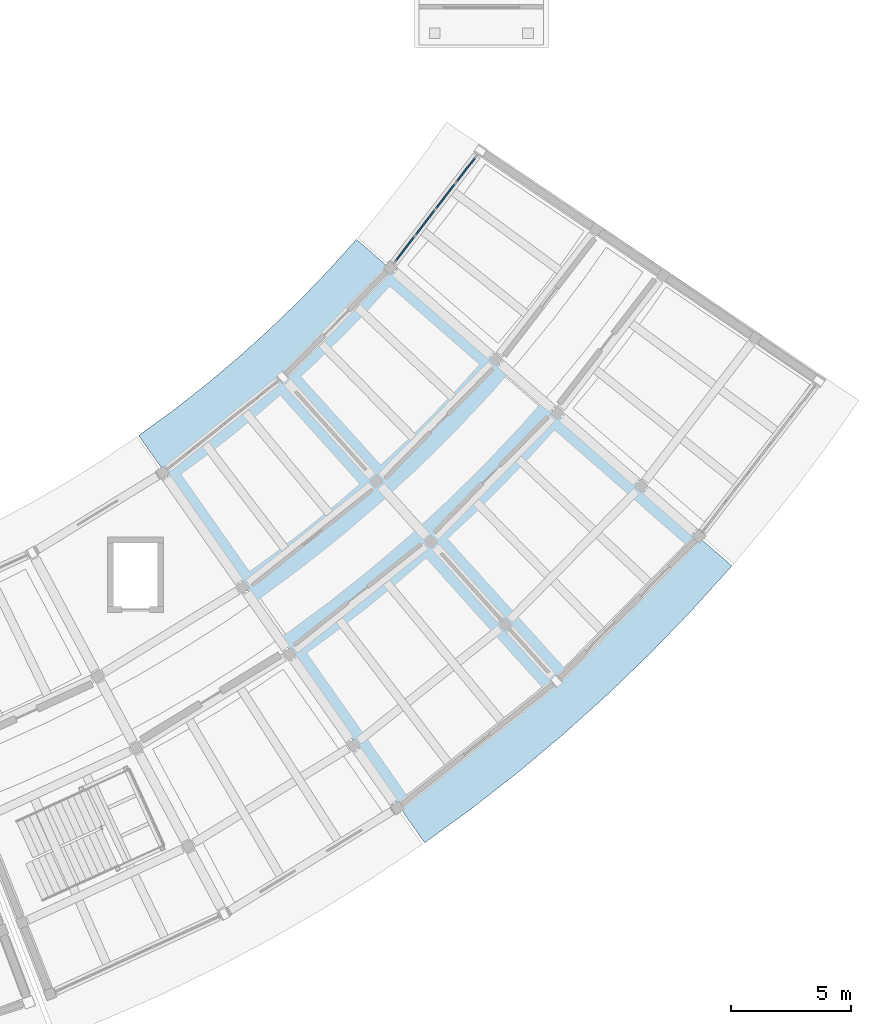
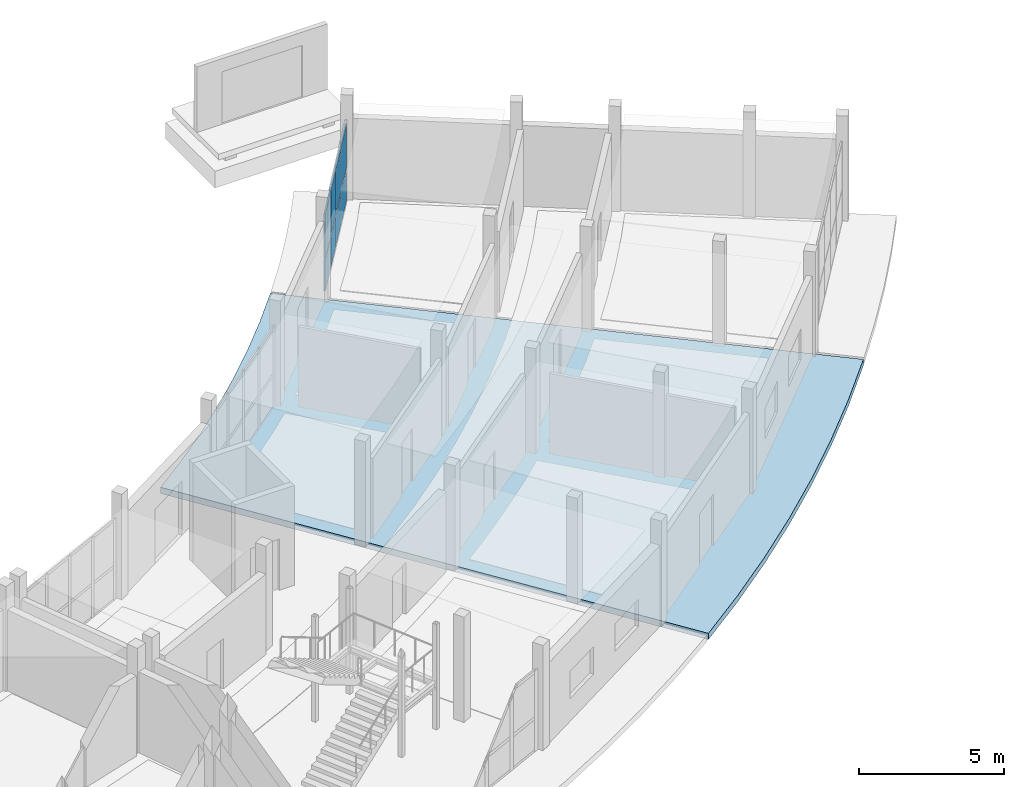
# One storey, part 53 of 92: 8 plates, 1 slab, 1 element without a shape of its own.
"""IFC4 building model written with IfcOpenShell, lengths in metres."""

from ifc_helpers import new_model, si_unit, direction, frame, origin, origin_2d, place, context, subcontext, project, spatial, polyline, rectangle, outline, extrude, material, layer, layer_set, type_object, element, aggregate, save


model = new_model("IFC4")

# Units and contexts
model_context = context("Model", 3, precision=1e-05, world=origin(), true_north=direction((0.0, 1.0)))
body_context = subcontext(model_context, "Body", "Model", "MODEL_VIEW")
ifc_project = project(units=[si_unit("LENGTHUNIT", "METRE"), si_unit("AREAUNIT", "SQUARE_METRE"), si_unit("VOLUMEUNIT", "CUBIC_METRE"), si_unit("PLANEANGLEUNIT", "RADIAN"), si_unit("MASSUNIT", "GRAM", prefix="KILO")], contexts=[model_context])

# Site, building, storey
site_placement = place(None, origin())
site = spatial("IfcSite", under=ifc_project, at=site_placement, CompositionType="ELEMENT")
building_placement = place(site_placement, origin())
building = spatial("IfcBuilding", under=site, at=building_placement, Name="Caldaven Crescent School", CompositionType="ELEMENT")
storey_placement = place(building_placement, origin())
storey = spatial("IfcBuildingStorey", under=building, at=storey_placement, Name="L00", CompositionType="ELEMENT", Elevation=0.0)

# Curtain wall, plates
ifc_material_1 = material(Name="Anodised aluminium AA 6063-T6 and low-E double glazing", Category="aluminium")
ifc_layer_1 = layer(ifc_material_1, 0.169921875)
ifc_layer_set_1 = layer_set([ifc_layer_1], Name="Anodised aluminium AA 6063-T6 and low-E double glazing")
curtain_wall_type = type_object("IfcCurtainWallType", Name="CW-SYS1", PredefinedType="NOTDEFINED", material=ifc_layer_set_1)
curtain_wall_placement = place(storey_placement, origin())
curtain_wall = element("IfcCurtainWall", 1, at=curtain_wall_placement, inside=storey, type_object=curtain_wall_type, Name="CW-L00-115", PredefinedType="NOTDEFINED")
ifc_material_2 = material(Name="Insulated bronze aluminium spandrel panel", Category="aluminium")
ifc_layer_2 = layer(ifc_material_2, 0.06396484375)
ifc_layer_set_2 = layer_set([ifc_layer_2], Name="Insulated bronze aluminium spandrel panel")
plate_type = type_object("IfcPlateType", Name="PLT-CWP20", PredefinedType="CURTAIN_PANEL", material=ifc_layer_set_2)
plate_1_placement = place(storey_placement, frame((128.2041015625, 62.3935546875, 0.06982421875), z_axis=(0.0, 0.0, 1.0), x_axis=(0.610386929383, 0.792103400093, 0.0)))
plate_1 = element("IfcPlate", 2, at=plate_1_placement, type_object=plate_type, Name="CW1 panel 1.1", PredefinedType="CURTAIN_PANEL", context=body_context, shape_type="SweptSolid", body=[
    extrude(rectangle(XDim=1.2998046875, YDim=0.06396484375, at=origin_2d()), origin(), (0.0, 0.0, 1.0), 1.322998046875),
])
plate_2_placement = place(storey_placement, frame((128.2041015625, 62.3935546875, 1.462890625), z_axis=(0.0, 0.0, 1.0), x_axis=(0.610386929383, 0.792103400093, 0.0)))
plate_2 = element("IfcPlate", 3, at=plate_2_placement, type_object=plate_type, Name="CW1 panel 1.2", PredefinedType="CURTAIN_PANEL", context=body_context, shape_type="SweptSolid", body=[
    extrude(rectangle(XDim=1.2998046875, YDim=0.06396484375, at=origin_2d()), origin(), (0.0, 0.0, 1.0), 1.866943359375),
])
plate_3_placement = place(storey_placement, frame((129.047119140625, 63.487548828125, 0.06982421875), z_axis=(0.0, 0.0, 1.0), x_axis=(0.610386929383, 0.792103400093, 0.0)))
plate_3 = element("IfcPlate", 4, at=plate_3_placement, type_object=plate_type, Name="CW1 panel 2.1", PredefinedType="CURTAIN_PANEL", context=body_context, shape_type="SweptSolid", body=[
    extrude(rectangle(XDim=1.332275390625, YDim=0.06396484375, at=origin_2d()), origin(), (0.0, 0.0, 1.0), 1.322998046875),
])
plate_4_placement = place(storey_placement, frame((129.047119140625, 63.487548828125, 1.462890625), z_axis=(0.0, 0.0, 1.0), x_axis=(0.610386929383, 0.792103400093, 0.0)))
plate_4 = element("IfcPlate", 5, at=plate_4_placement, type_object=plate_type, Name="CW1 panel 2.2", PredefinedType="CURTAIN_PANEL", context=body_context, shape_type="SweptSolid", body=[
    extrude(rectangle(XDim=1.332275390625, YDim=0.06396484375, at=origin_2d()), origin(), (0.0, 0.0, 1.0), 1.866943359375),
])
plate_5_placement = place(storey_placement, frame((129.89990234375, 64.594482421875, 0.06982421875), z_axis=(0.0, 0.0, 1.0), x_axis=(0.610386929383, 0.792103400093, 0.0)))
plate_5 = element("IfcPlate", 6, at=plate_5_placement, type_object=plate_type, Name="CW1 panel 3.1", PredefinedType="CURTAIN_PANEL", context=body_context, shape_type="SweptSolid", body=[
    extrude(rectangle(XDim=1.332275390625, YDim=0.06396484375, at=origin_2d()), origin(), (0.0, 0.0, 1.0), 1.322998046875),
])
plate_6_placement = place(storey_placement, frame((129.89990234375, 64.594482421875, 1.462890625), z_axis=(0.0, 0.0, 1.0), x_axis=(0.610386929383, 0.792103400093, 0.0)))
plate_6 = element("IfcPlate", 7, at=plate_6_placement, type_object=plate_type, Name="CW1 panel 3.2", PredefinedType="CURTAIN_PANEL", context=body_context, shape_type="SweptSolid", body=[
    extrude(rectangle(XDim=1.332275390625, YDim=0.06396484375, at=origin_2d()), origin(), (0.0, 0.0, 1.0), 1.866943359375),
])
plate_7_placement = place(storey_placement, frame((130.742919921875, 65.6884765625, 0.06982421875), z_axis=(0.0, 0.0, 1.0), x_axis=(0.610386929383, 0.792103400093, 0.0)))
plate_7 = element("IfcPlate", 8, at=plate_7_placement, type_object=plate_type, Name="CW1 panel 4.1", PredefinedType="CURTAIN_PANEL", context=body_context, shape_type="SweptSolid", body=[
    extrude(rectangle(XDim=1.2998046875, YDim=0.06396484375, at=origin_2d()), origin(), (0.0, 0.0, 1.0), 1.322998046875),
])
plate_8_placement = place(storey_placement, frame((130.742919921875, 65.6884765625, 1.462890625), z_axis=(0.0, 0.0, 1.0), x_axis=(0.610386929383, 0.792103400093, 0.0)))
plate_8 = element("IfcPlate", 9, at=plate_8_placement, type_object=plate_type, Name="CW1 panel 4.2", PredefinedType="CURTAIN_PANEL", context=body_context, shape_type="SweptSolid", body=[
    extrude(rectangle(XDim=1.2998046875, YDim=0.06396484375, at=origin_2d()), origin(), (0.0, 0.0, 1.0), 1.866943359375),
])
aggregate(curtain_wall, [plate_1, plate_2, plate_3, plate_4, plate_5, plate_6, plate_7, plate_8])

# Slab
ifc_material_3 = material(Name="Concrete C35/45", Category="concrete")
ifc_layer_3 = layer(ifc_material_3, 0.260009765625)
ifc_layer_set_3 = layer_set([ifc_layer_3], Name="Concrete C35/45")
slab_type = type_object("IfcSlabType", Name="SLB-FS1", PredefinedType="FLOOR", material=ifc_layer_set_3)
slab_placement = place(storey_placement, frame((0.0, 0.0, -0.260009765625)))
element("IfcSlab", 10, at=slab_placement, inside=storey, type_object=slab_type, Name="SLB-V4E-L00-B13", PredefinedType="FLOOR", context=body_context, shape_type="SweptSolid", body=[
    extrude(outline(polyline([(129.025146484375, 37.56298828125), (131.027099609375, 39.020751953125), (132.97705078125, 40.547119140625), (134.872802734375, 42.14013671875), (136.71240234375, 43.7978515625), (138.493408203125, 45.5185546875), (140.213623046875, 47.2998046875), (141.870849609375, 49.1396484375), (126.177490234375, 62.791015625), (125.0029296875, 61.487060546875), (123.78369140625, 60.224609375), (122.521728515625, 59.005126953125), (121.218017578125, 57.830322265625), (119.87451171875, 56.701416015625), (118.492431640625, 55.61962890625), (117.073974609375, 54.586669921875), (129.025146484375, 37.56298828125)])), origin(), (0.0, 0.0, 1.0), 0.260009765625),
])

save(model, "model.ifc")
